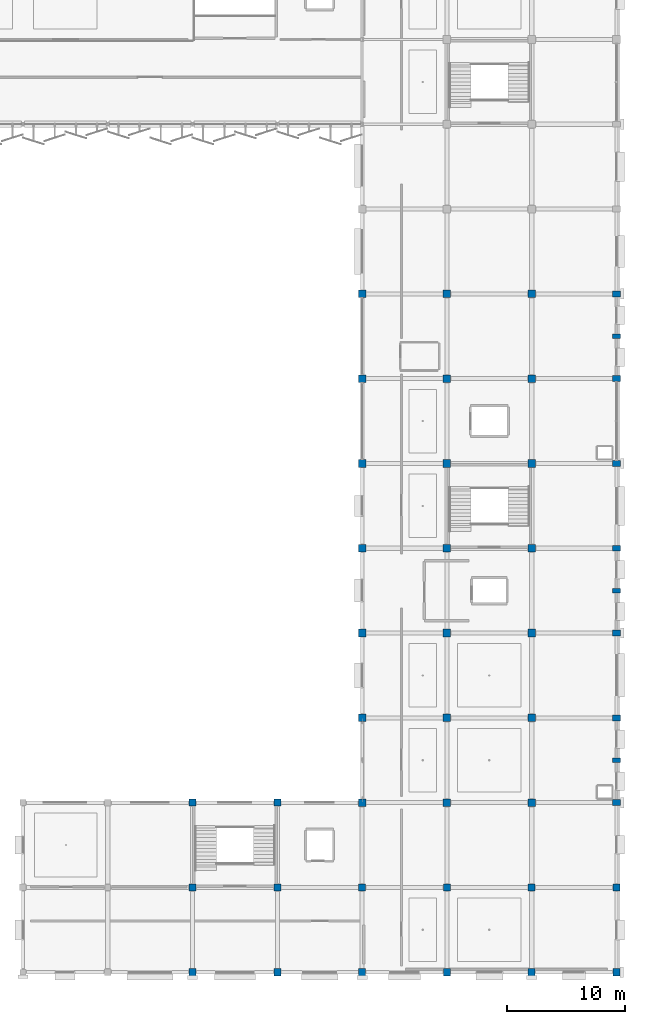
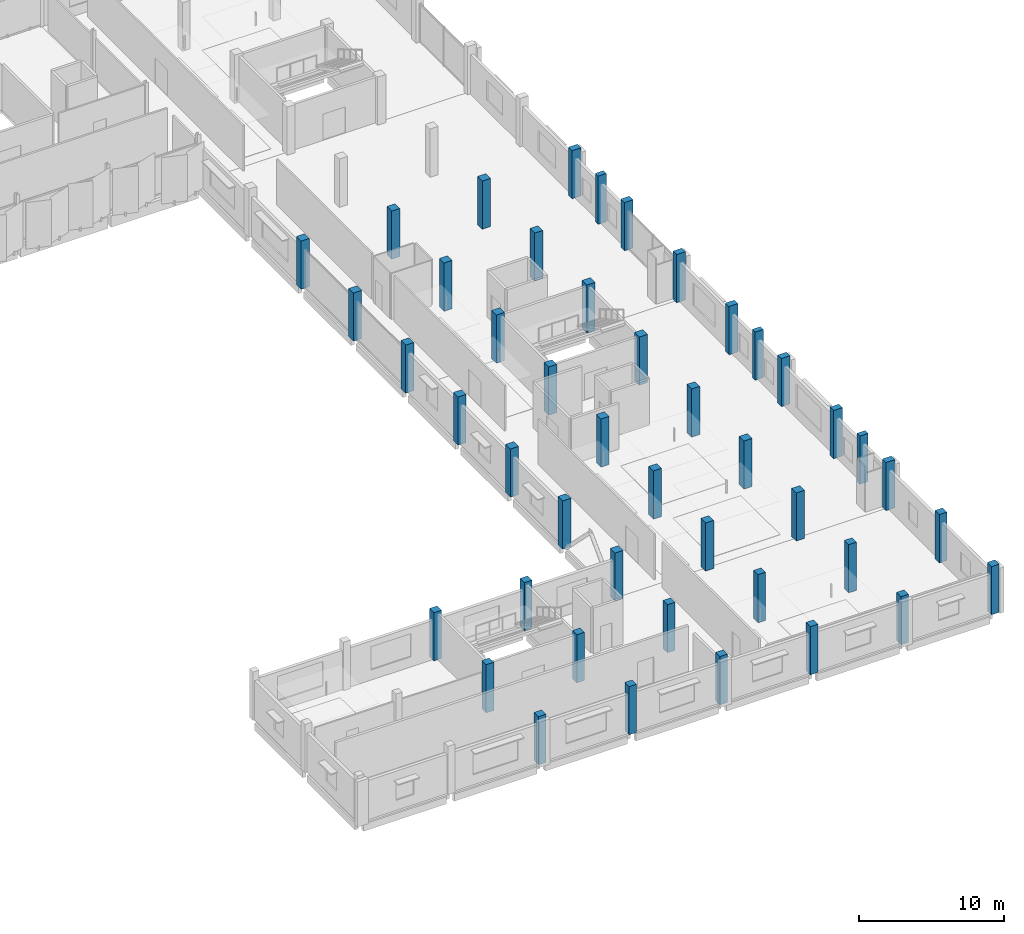
# One storey, part 4 of 77: 45 columns.
"""IFC4 building model written with IfcOpenShell, lengths in metres."""

from ifc_helpers import new_model, si_unit, direction, frame, origin, origin_2d, place, context, subcontext, project, spatial, rectangle, extrude, material, material_profile, profile_set, type_object, element, save


model = new_model("IFC4")

# Units and contexts
model_context = context("Model", 3, precision=1e-05, world=origin(), true_north=direction((0.0, 1.0)))
body_context = subcontext(model_context, "Body", "Model", "MODEL_VIEW")
ifc_project = project(units=[si_unit("LENGTHUNIT", "METRE"), si_unit("AREAUNIT", "SQUARE_METRE"), si_unit("VOLUMEUNIT", "CUBIC_METRE"), si_unit("PLANEANGLEUNIT", "RADIAN"), si_unit("MASSUNIT", "GRAM", prefix="KILO")], contexts=[model_context])

# Site, building, storey
site_placement = place(None, origin())
site = spatial("IfcSite", under=ifc_project, at=site_placement, CompositionType="ELEMENT")
building_placement = place(site_placement, origin())
building = spatial("IfcBuilding", under=site, at=building_placement, Name="Kangsadwip Square Police Headquarters", CompositionType="ELEMENT")
storey_placement = place(building_placement, frame((0.0, 0.0, 17.550048828125)))
storey = spatial("IfcBuildingStorey", under=building, at=storey_placement, Name="L04", CompositionType="ELEMENT", Elevation=17.550048828125)

# Columns
ifc_material_1 = material(Name="Concrete M35 (35 MPa)", Category="concrete")
ifc_material_profile_1 = material_profile(ifc_material_1, rectangle(XDim=0.60009765625, YDim=0.60009765625, at=origin_2d()), Name="RC COL 600X600")
ifc_profile_set_1 = profile_set([ifc_material_profile_1], Name="Concrete M35 (35 MPa)")
column_type_1 = type_object("IfcColumnType", Name="RcCol600x600", PredefinedType="COLUMN", material=ifc_profile_set_1)
for number, where, z_axis, x_axis, name in (
    (1, (129.60009765625, 21.60009765625, 0.0), (0.0, 0.0, 1.0), (1.0, 0.0, 0.0), "Column COL-L04-18-03"),
    (2, (129.60009765625, 28.800048828125, 0.0), (0.0, 0.0, 1.0), (1.0, 0.0, 0.0), "Column COL-L04-18-04"),
    (3, (129.60009765625, 36.0, 0.0), (0.0, 0.0, 1.0), (1.0, 0.0, 0.0), "Column COL-L04-18-05"),
    (4, (136.800048828125, 21.60009765625, 0.0), (0.0, 0.0, 1.0), (1.0, 0.0, 0.0), "Column COL-L04-19-03"),
    (5, (136.800048828125, 28.800048828125, 0.0), (0.0, 0.0, 1.0), (1.0, 0.0, 0.0), "Column COL-L04-19-04"),
    (6, (136.800048828125, 36.0, 0.0), (0.0, 0.0, 1.0), (1.0, 0.0, 0.0), "Column COL-L04-19-05"),
    (7, (144.0, 21.60009765625, 0.0), (0.0, 0.0, 1.0), (1.0, 0.0, 0.0), "Column COL-L04-20-03"),
    (8, (144.0, 28.800048828125, 0.0), (0.0, 0.0, 1.0), (1.0, 0.0, 0.0), "Column COL-L04-20-04"),
    (9, (151.199951171875, 21.60009765625, 0.0), (0.0, 0.0, 1.0), (1.0, 0.0, 0.0), "Column COL-L04-21-03"),
    (10, (151.199951171875, 28.800048828125, 0.0), (0.0, 0.0, 1.0), (1.0, 0.0, 0.0), "Column COL-L04-21-04"),
    (11, (158.39990234375, 21.60009765625, 0.0), (0.0, 0.0, 1.0), (1.0, 0.0, 0.0), "Column COL-L04-22-03"),
    (12, (158.39990234375, 28.800048828125, 0.0), (0.0, 0.0, 1.0), (1.0, 0.0, 0.0), "Column COL-L04-22-04"),
    (13, (165.60009765625, 21.60009765625, 0.0), (0.0, 0.0, 1.0), (1.0, 0.0, 0.0), "Column COL-L04-23-03"),
    (14, (165.60009765625, 28.800048828125, 0.0), (0.0, 0.0, 1.0), (1.0, 0.0, 0.0), "Column COL-L04-23-04"),
):
    element("IfcColumn", number, at=place(storey_placement, frame(where, z_axis=z_axis, x_axis=x_axis)), inside=storey, type_object=column_type_1, Name=name, PredefinedType="COLUMN", context=body_context, shape_type="SweptSolid", body=[
        extrude(rectangle(XDim=0.60009765625, YDim=0.60009765625, at=origin_2d()), origin(), (0.0, 0.0, 1.0), 4.050048828125),
    ])
ifc_material_2 = material(Name="Concrete M40 (40 MPa)", Category="concrete")
ifc_material_profile_2 = material_profile(ifc_material_2, rectangle(XDim=0.64990234375, YDim=0.64990234375, at=origin_2d()), Name="RC COL 650X650")
ifc_profile_set_2 = profile_set([ifc_material_profile_2], Name="Concrete M40 (40 MPa)")
column_type_2 = type_object("IfcColumnType", Name="RcCol650x650", PredefinedType="COLUMN", material=ifc_profile_set_2)
for number, where, z_axis, x_axis, name in (
    (15, (144.0, 36.0, 0.0), (0.0, 0.0, 1.0), (1.0, 0.0, 0.0), "Column COL-L04-20-05"),
    (16, (144.0, 43.199951171875, 0.0), (0.0, 0.0, 1.0), (1.0, 0.0, 0.0), "Column COL-L04-20-06"),
    (17, (144.0, 50.39990234375, 0.0), (0.0, 0.0, 1.0), (1.0, 0.0, 0.0), "Column COL-L04-20-07"),
    (18, (144.0, 57.60009765625, 0.0), (0.0, 0.0, 1.0), (1.0, 0.0, 0.0), "Column COL-L04-20-08"),
    (19, (144.0, 64.800048828125, 0.0), (0.0, 0.0, 1.0), (1.0, 0.0, 0.0), "Column COL-L04-20-09"),
    (20, (144.0, 72.0, 0.0), (0.0, 0.0, 1.0), (1.0, 0.0, 0.0), "Column COL-L04-20-10"),
    (21, (144.0, 79.199951171875, 0.0), (0.0, 0.0, 1.0), (1.0, 0.0, 0.0), "Column COL-L04-20-11"),
    (22, (151.199951171875, 36.0, 0.0), (0.0, 0.0, 1.0), (1.0, 0.0, 0.0), "Column COL-L04-21-05"),
    (23, (151.199951171875, 43.199951171875, 0.0), (0.0, 0.0, 1.0), (1.0, 0.0, 0.0), "Column COL-L04-21-06"),
    (24, (151.199951171875, 50.39990234375, 0.0), (0.0, 0.0, 1.0), (1.0, 0.0, 0.0), "Column COL-L04-21-07"),
    (25, (151.199951171875, 57.60009765625, 0.0), (0.0, 0.0, 1.0), (1.0, 0.0, 0.0), "Column COL-L04-21-08"),
    (26, (151.199951171875, 64.800048828125, 0.0), (0.0, 0.0, 1.0), (1.0, 0.0, 0.0), "Column COL-L04-21-09"),
    (27, (151.199951171875, 72.0, 0.0), (0.0, 0.0, 1.0), (1.0, 0.0, 0.0), "Column COL-L04-21-10"),
    (28, (151.199951171875, 79.199951171875, 0.0), (0.0, 0.0, 1.0), (1.0, 0.0, 0.0), "Column COL-L04-21-11"),
    (29, (158.39990234375, 36.0, 0.0), (0.0, 0.0, 1.0), (1.0, 0.0, 0.0), "Column COL-L04-22-05"),
    (30, (158.39990234375, 43.199951171875, 0.0), (0.0, 0.0, 1.0), (1.0, 0.0, 0.0), "Column COL-L04-22-06"),
    (31, (158.39990234375, 50.39990234375, 0.0), (0.0, 0.0, 1.0), (1.0, 0.0, 0.0), "Column COL-L04-22-07"),
    (32, (158.39990234375, 57.60009765625, 0.0), (0.0, 0.0, 1.0), (1.0, 0.0, 0.0), "Column COL-L04-22-08"),
    (33, (158.39990234375, 64.800048828125, 0.0), (0.0, 0.0, 1.0), (1.0, 0.0, 0.0), "Column COL-L04-22-09"),
    (34, (158.39990234375, 72.0, 0.0), (0.0, 0.0, 1.0), (1.0, 0.0, 0.0), "Column COL-L04-22-10"),
    (35, (158.39990234375, 79.199951171875, 0.0), (0.0, 0.0, 1.0), (1.0, 0.0, 0.0), "Column COL-L04-22-11"),
):
    element("IfcColumn", number, at=place(storey_placement, frame(where, z_axis=z_axis, x_axis=x_axis)), inside=storey, type_object=column_type_2, Name=name, PredefinedType="COLUMN", context=body_context, shape_type="SweptSolid", body=[
        extrude(rectangle(XDim=0.64990234375, YDim=0.64990234375, at=origin_2d()), origin(), (0.0, 0.0, 1.0), 4.050048828125),
    ])
ifc_material_3 = material(Name="Concrete M35 (35 MPa)", Category="concrete")
ifc_material_profile_3 = material_profile(ifc_material_3, rectangle(XDim=0.5, YDim=0.699951171875, at=origin_2d()), Name="RC COL 700X500")
ifc_profile_set_3 = profile_set([ifc_material_profile_3], Name="Concrete M35 (35 MPa)")
column_type_3 = type_object("IfcColumnType", Name="RcCol700x500", PredefinedType="COLUMN", material=ifc_profile_set_3)
for number, where, z_axis, x_axis, name in (
    (36, (165.60009765625, 36.0, 0.0), (0.0, 0.0, 1.0), (0.0, 1.0, 0.0), "Column COL-L04-23-05"),
    (37, (165.60009765625, 43.199951171875, 0.0), (0.0, 0.0, 1.0), (0.0, 1.0, 0.0), "Column COL-L04-23-06"),
    (38, (165.60009765625, 50.39990234375, 0.0), (0.0, 0.0, 1.0), (0.0, 1.0, 0.0), "Column COL-L04-23-07"),
    (39, (165.60009765625, 57.60009765625, 0.0), (0.0, 0.0, 1.0), (0.0, 1.0, 0.0), "Column COL-L04-23-08"),
    (40, (165.60009765625, 64.800048828125, 0.0), (0.0, 0.0, 1.0), (0.0, 1.0, 0.0), "Column COL-L04-23-09"),
    (41, (165.60009765625, 72.0, 0.0), (0.0, 0.0, 1.0), (0.0, 1.0, 0.0), "Column COL-L04-23-10"),
    (42, (165.60009765625, 79.199951171875, 0.0), (0.0, 0.0, 1.0), (0.0, 1.0, 0.0), "Column COL-L04-23-11"),
):
    element("IfcColumn", number, at=place(storey_placement, frame(where, z_axis=z_axis, x_axis=x_axis)), inside=storey, type_object=column_type_3, Name=name, PredefinedType="COLUMN", context=body_context, shape_type="SweptSolid", body=[
        extrude(rectangle(XDim=0.5, YDim=0.699951171875, at=origin_2d()), origin(), (0.0, 0.0, 1.0), 4.050048828125),
    ])
ifc_material_4 = material(Name="Concrete M40 (40 MPa)", Category="concrete")
ifc_material_profile_4 = material_profile(ifc_material_4, rectangle(XDim=0.39990234375, YDim=0.64990234375, at=origin_2d()), Name="RC PIL 650X400")
ifc_profile_set_4 = profile_set([ifc_material_profile_4], Name="Concrete M40 (40 MPa)")
column_type_4 = type_object("IfcColumnType", Name="RcPil650x400", PredefinedType="PILASTER", material=ifc_profile_set_4)
for number, where, z_axis, x_axis, name in (
    (43, (165.60009765625, 39.60009765625, 0.0), (0.0, 0.0, 1.0), (0.0, 1.0, 0.0), "Colonnade Pilaster PIL-L04-033"),
    (44, (165.60009765625, 54.0, 0.0), (0.0, 0.0, 1.0), (0.0, 1.0, 0.0), "Colonnade Pilaster PIL-L04-041"),
    (45, (165.60009765625, 75.60009765625, 0.0), (0.0, 0.0, 1.0), (0.0, 1.0, 0.0), "Colonnade Pilaster PIL-L04-049"),
):
    element("IfcColumn", number, at=place(storey_placement, frame(where, z_axis=z_axis, x_axis=x_axis)), inside=storey, type_object=column_type_4, Name=name, PredefinedType="PILASTER", context=body_context, shape_type="SweptSolid", body=[
        extrude(rectangle(XDim=0.39990234375, YDim=0.64990234375, at=origin_2d()), origin(), (0.0, 0.0, 1.0), 4.050048828125),
    ])

save(model, "model.ifc")
